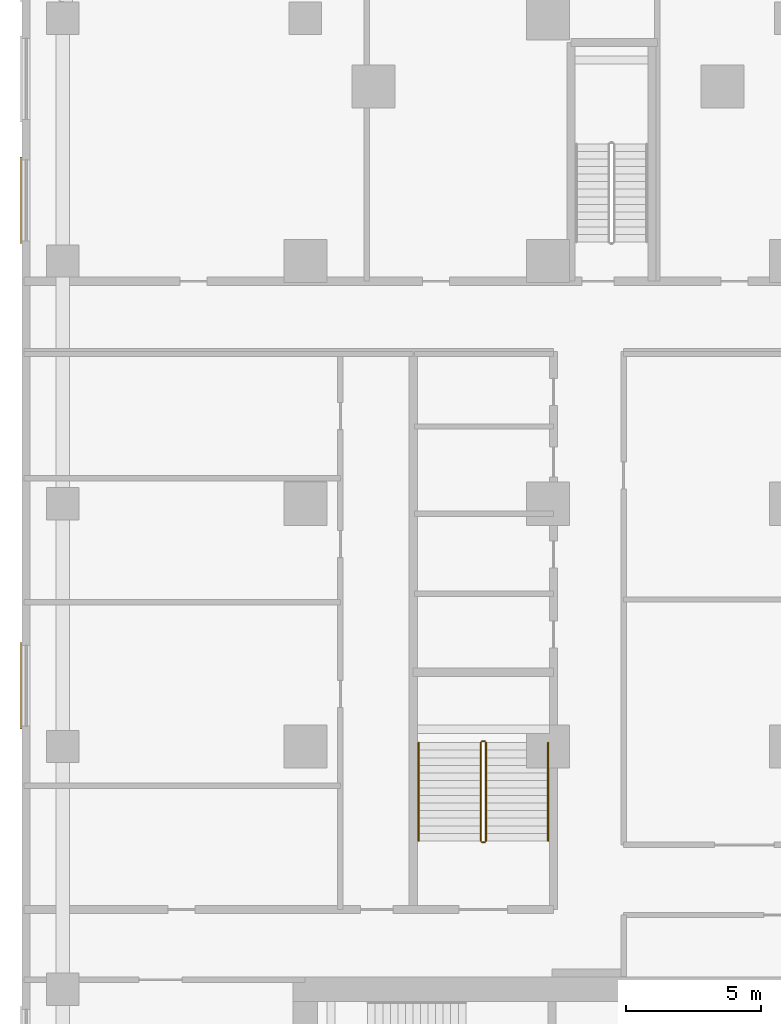
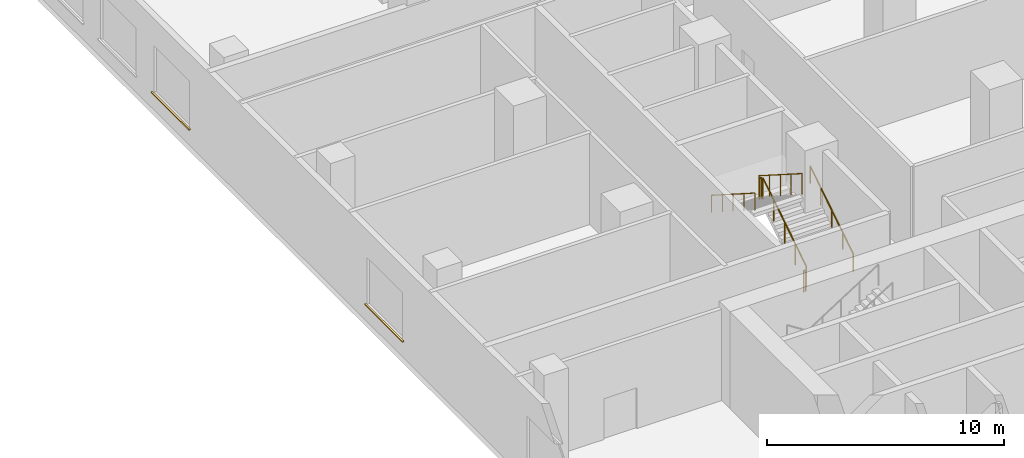
# One storey, part 27 of 35: 6 railings, 2 coverings.
"""IFC4 building model written with IfcOpenShell, lengths in metres."""

from ifc_helpers import new_model, si_unit, direction, frame, origin, origin_2d, place, context, subcontext, project, spatial, rectangle, circle, extrude, material, layer, layer_set, type_object, element, save


model = new_model("IFC4")

# Units and contexts
model_context = context("Model", 3, precision=1e-05, world=origin(), true_north=direction((0.0, 1.0)))
body_context = subcontext(model_context, "Body", "Model", "MODEL_VIEW")
ifc_project = project(units=[si_unit("LENGTHUNIT", "METRE"), si_unit("AREAUNIT", "SQUARE_METRE"), si_unit("VOLUMEUNIT", "CUBIC_METRE"), si_unit("PLANEANGLEUNIT", "RADIAN"), si_unit("MASSUNIT", "GRAM", prefix="KILO")], contexts=[model_context])

# Site, building, storey
site_placement = place(None, origin())
site = spatial("IfcSite", under=ifc_project, at=site_placement, CompositionType="ELEMENT")
building_placement = place(site_placement, origin())
building = spatial("IfcBuilding", under=site, at=building_placement, Name="Ogive Portal Towers", CompositionType="ELEMENT")
storey_placement = place(building_placement, frame((0.0, 0.0, 23.5)))
storey = spatial("IfcBuildingStorey", under=building, at=storey_placement, Name="L04", CompositionType="ELEMENT", Elevation=23.5)

# Railings
ifc_material_1 = material(Name="Stainless steel balustrade", Category="steel")
railing_type_1 = type_object("IfcRailingType", Name="INT-GUARD", PredefinedType="GUARDRAIL", material=ifc_material_1)
railing_1_placement = place(storey_placement, frame((38.199951171875, 45.0, 0.178466796875)))
element("IfcRailing", 1, at=railing_1_placement, inside=storey, type_object=railing_type_1, Name="L04 ST-P2 stair guard 1", PredefinedType="GUARDRAIL", context=body_context, shape_type="SweptSolid", body=[
    extrude(circle(Radius=0.02392578125, at=origin_2d()), frame((0.0, 0.0, 1.076171875), z_axis=(0.0, 0.843111507901, 0.53773877045), x_axis=(-1.0, 0.0, 0.0)), (0.0, 0.0, 1.0), 4.317138671875),
    extrude(circle(Radius=0.02099609375, at=origin_2d()), origin(), (0.0, 0.0, 1.0), 1.052001953125),
    extrude(circle(Radius=0.02099609375, at=origin_2d()), frame((0.0, 0.909912109375, 0.580322265625)), (0.0, 0.0, 1.0), 1.052001953125),
    extrude(circle(Radius=0.02099609375, at=origin_2d()), frame((0.0, 1.81982421875, 1.16064453125)), (0.0, 0.0, 1.0), 1.052001953125),
    extrude(circle(Radius=0.02099609375, at=origin_2d()), frame((0.0, 2.72998046875, 1.7412109375)), (0.0, 0.0, 1.0), 1.052001953125),
    extrude(circle(Radius=0.02099609375, at=origin_2d()), frame((0.0, 3.639892578125, 2.321533203125)), (0.0, 0.0, 1.0), 1.052001953125),
])
railing_2_placement = place(storey_placement, frame((38.14990234375, 48.68994140625, 2.5)))
element("IfcRailing", 2, at=railing_2_placement, inside=storey, type_object=railing_type_1, Name="L04 ST-P2 stair guard 2", PredefinedType="GUARDRAIL", context=body_context, shape_type="SweptSolid", body=[
    extrude(circle(Radius=0.02392578125, at=origin_2d()), frame((0.0, 0.0, 1.076171875), z_axis=(-1.0, 0.0, 0.0), x_axis=(0.0, -1.0, 0.0)), (0.0, 0.0, 1.0), 0.099853515625),
    extrude(circle(Radius=0.02099609375, at=origin_2d()), origin(), (0.0, 0.0, 1.0), 1.052001953125),
    extrude(circle(Radius=0.02099609375, at=origin_2d()), frame((-0.099853515625, 0.0, 0.0)), (0.0, 0.0, 1.0), 1.052001953125),
])
railing_3_placement = place(storey_placement, frame((38.0, 48.639892578125, 2.678466796875)))
element("IfcRailing", 3, at=railing_3_placement, inside=storey, type_object=railing_type_1, Name="L04 ST-P2 stair guard 3", PredefinedType="GUARDRAIL", context=body_context, shape_type="SweptSolid", body=[
    extrude(circle(Radius=0.02392578125, at=origin_2d()), frame((0.0, 0.0, 1.076171875), z_axis=(0.0, -0.843111507901, 0.53773877045), x_axis=(1.0, 0.0, 0.0)), (0.0, 0.0, 1.0), 4.317138671875),
    extrude(circle(Radius=0.02099609375, at=origin_2d()), origin(), (0.0, 0.0, 1.0), 1.052001953125),
    extrude(circle(Radius=0.02099609375, at=origin_2d()), frame((0.0, -0.909912109375, 0.580322265625)), (0.0, 0.0, 1.0), 1.052001953125),
    extrude(circle(Radius=0.02099609375, at=origin_2d()), frame((0.0, -1.81982421875, 1.16064453125)), (0.0, 0.0, 1.0), 1.052001953125),
    extrude(circle(Radius=0.02099609375, at=origin_2d()), frame((0.0, -2.72998046875, 1.7412109375)), (0.0, 0.0, 1.0), 1.052001953125),
    extrude(circle(Radius=0.02099609375, at=origin_2d()), frame((0.0, -3.639892578125, 2.321533203125)), (0.0, 0.0, 1.0), 1.052001953125),
])
railing_4_placement = place(storey_placement, frame((38.14990234375, 44.949951171875, 0.0)))
element("IfcRailing", 4, at=railing_4_placement, inside=storey, type_object=railing_type_1, Name="L04 ST-P2 stair guard 4", PredefinedType="GUARDRAIL", context=body_context, shape_type="SweptSolid", body=[
    extrude(circle(Radius=0.02392578125, at=origin_2d()), frame((0.0, 0.0, 1.076171875), z_axis=(-1.0, 0.0, 0.0), x_axis=(0.0, -1.0, 0.0)), (0.0, 0.0, 1.0), 0.099853515625),
    extrude(circle(Radius=0.02099609375, at=origin_2d()), origin(), (0.0, 0.0, 1.0), 1.052001953125),
    extrude(circle(Radius=0.02099609375, at=origin_2d()), frame((-0.099853515625, 0.0, 0.0)), (0.0, 0.0, 1.0), 1.052001953125),
])
ifc_material_2 = material(Name="Stainless steel handrail", Category="steel")
railing_type_2 = type_object("IfcRailingType", Name="INT-HANDRAIL", PredefinedType="HANDRAIL", material=ifc_material_2)
railing_5_placement = place(storey_placement, frame((40.5, 45.0, 0.178466796875)))
element("IfcRailing", 5, at=railing_5_placement, inside=storey, type_object=railing_type_2, Name="L04 ST-P2 stair handrail 1", PredefinedType="HANDRAIL", context=body_context, shape_type="SweptSolid", body=[
    extrude(circle(Radius=0.02392578125, at=origin_2d()), frame((0.0, 0.0, 0.8759765625), z_axis=(0.0, 0.843111507901, 0.53773877045), x_axis=(-1.0, 0.0, 0.0)), (0.0, 0.0, 1.0), 4.317138671875),
    extrude(circle(Radius=0.02099609375, at=origin_2d()), origin(), (0.0, 0.0, 1.0), 0.851806640625),
    extrude(circle(Radius=0.02099609375, at=origin_2d()), frame((0.0, 0.909912109375, 0.580322265625)), (0.0, 0.0, 1.0), 0.851806640625),
    extrude(circle(Radius=0.02099609375, at=origin_2d()), frame((0.0, 1.81982421875, 1.16064453125)), (0.0, 0.0, 1.0), 0.851806640625),
    extrude(circle(Radius=0.02099609375, at=origin_2d()), frame((0.0, 2.72998046875, 1.7412109375)), (0.0, 0.0, 1.0), 0.851806640625),
    extrude(circle(Radius=0.02099609375, at=origin_2d()), frame((0.0, 3.639892578125, 2.321533203125)), (0.0, 0.0, 1.0), 0.851806640625),
])
railing_6_placement = place(storey_placement, frame((35.699951171875, 48.639892578125, 2.678466796875)))
element("IfcRailing", 6, at=railing_6_placement, inside=storey, type_object=railing_type_2, Name="L04 ST-P2 stair handrail 2", PredefinedType="HANDRAIL", context=body_context, shape_type="SweptSolid", body=[
    extrude(circle(Radius=0.02392578125, at=origin_2d()), frame((0.0, 0.0, 0.8759765625), z_axis=(0.0, -0.843111507901, 0.53773877045), x_axis=(1.0, 0.0, 0.0)), (0.0, 0.0, 1.0), 4.317138671875),
    extrude(circle(Radius=0.02099609375, at=origin_2d()), origin(), (0.0, 0.0, 1.0), 0.851806640625),
    extrude(circle(Radius=0.02099609375, at=origin_2d()), frame((0.0, -0.909912109375, 0.580322265625)), (0.0, 0.0, 1.0), 0.851806640625),
    extrude(circle(Radius=0.02099609375, at=origin_2d()), frame((0.0, -1.81982421875, 1.16064453125)), (0.0, 0.0, 1.0), 0.851806640625),
    extrude(circle(Radius=0.02099609375, at=origin_2d()), frame((0.0, -2.72998046875, 1.7412109375)), (0.0, 0.0, 1.0), 0.851806640625),
    extrude(circle(Radius=0.02099609375, at=origin_2d()), frame((0.0, -3.639892578125, 2.321533203125)), (0.0, 0.0, 1.0), 0.851806640625),
])

# Coverings
ifc_material_3 = material(Name="Limestone cladding on lightweight block wall", Category="masonry")
ifc_layer = layer(ifc_material_3, 0.080078125)
ifc_layer_set = layer_set([ifc_layer], Name="STONE SILL 80")
covering_type = type_object("IfcCoveringType", Name="STONE SILL 80", PredefinedType="CLADDING", material=ifc_layer_set)
for number, where, z_axis, x_axis, name in (
    (7, (20.9599609375, 68.75, 0.840087890625), (0.0, 0.0, 1.0), (0.0, -1.0, 0.0), "Stone sill"),
    (8, (20.9599609375, 50.75, 0.840087890625), (0.0, 0.0, 1.0), (0.0, -1.0, 0.0), "Stone sill"),
):
    element("IfcCovering", number, at=place(storey_placement, frame(where, z_axis=z_axis, x_axis=x_axis)), inside=storey, type_object=covering_type, Name=name, PredefinedType="CLADDING", context=body_context, shape_type="SweptSolid", body=[
        extrude(rectangle(XDim=3.199951171875, YDim=0.080078125, at=origin_2d()), origin(), (0.0, 0.0, 1.0), 0.06005859375),
    ])

save(model, "model.ifc")
